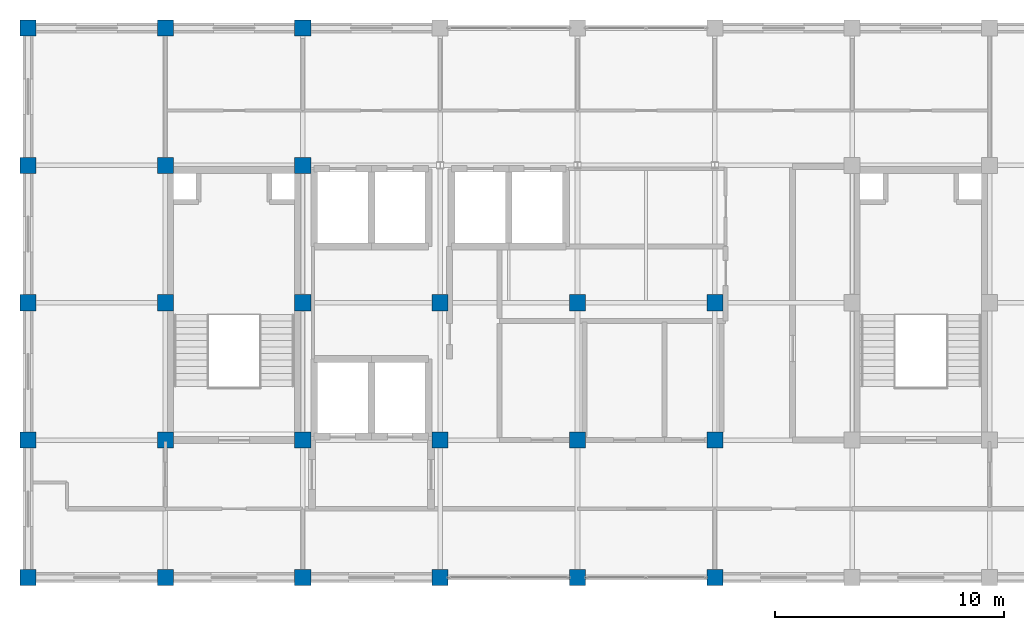
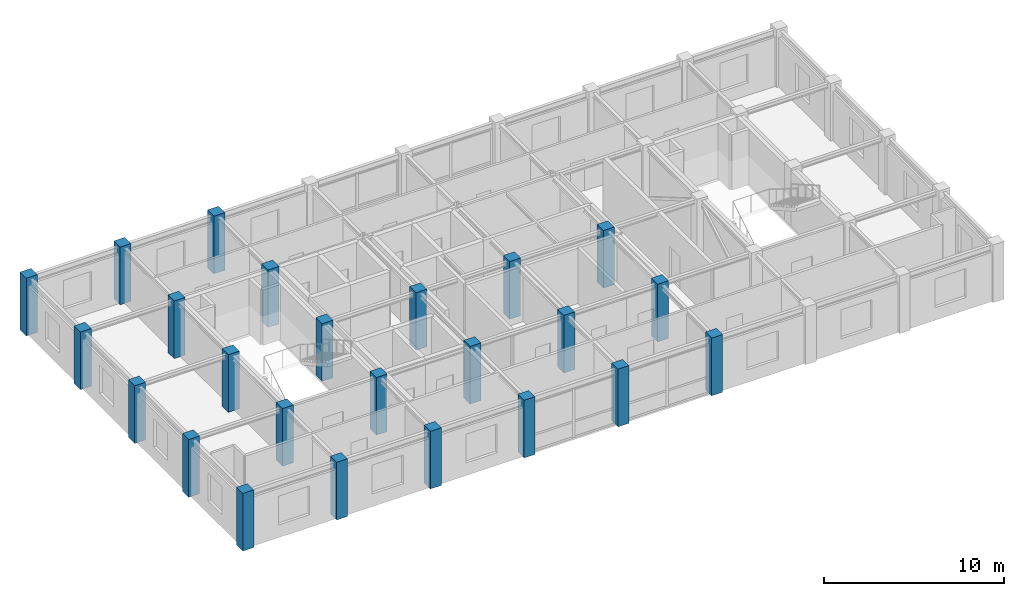
# One storey, part 1 of 11: 24 columns.
"""IFC4 building model written with IfcOpenShell, lengths in metres."""

from ifc_helpers import new_model, si_unit, direction, frame, origin, origin_2d, place, context, subcontext, project, spatial, rectangle, extrude, material, material_profile, profile_set, type_object, element, save


model = new_model("IFC4")

# Units and contexts
model_context = context("Model", 3, precision=1e-05, world=origin(), true_north=direction((0.0, 1.0)))
body_context = subcontext(model_context, "Body", "Model", "MODEL_VIEW")
ifc_project = project(units=[si_unit("LENGTHUNIT", "METRE"), si_unit("AREAUNIT", "SQUARE_METRE"), si_unit("VOLUMEUNIT", "CUBIC_METRE"), si_unit("PLANEANGLEUNIT", "RADIAN"), si_unit("MASSUNIT", "GRAM", prefix="KILO")], contexts=[model_context])

# Site, building, storey
site_placement = place(None, origin())
site = spatial("IfcSite", under=ifc_project, at=site_placement, CompositionType="ELEMENT")
building_placement = place(site_placement, origin())
building = spatial("IfcBuilding", under=site, at=building_placement, Name="Zlatovratsky Civic Hall", CompositionType="ELEMENT")
storey_placement = place(building_placement, frame((0.0, 0.0, 60.0)))
storey = spatial("IfcBuildingStorey", under=building, at=storey_placement, Name="L15", CompositionType="ELEMENT", Elevation=60.0)

# Columns
ifc_material = material(Name="Concrete C35/45 (B40)", Category="concrete")
ifc_material_profile = material_profile(ifc_material, rectangle(XDim=0.699951171875, YDim=0.699951171875, at=origin_2d()), Name="RC 700x700")
ifc_profile_set = profile_set([ifc_material_profile], Name="Concrete C35/45 (B40)")
column_type = type_object("IfcColumnType", Name="Col_CorePier_RC700", PredefinedType="COLUMN", material=ifc_profile_set)
for number, where, z_axis, x_axis, name in (
    (1, (60.0, 78.0, 0.0), (0.0, 0.0, 1.0), (1.0, 0.0, 0.0), "CL-2555"),
    (2, (66.0, 78.0, 0.0), (0.0, 0.0, 1.0), (1.0, 0.0, 0.0), "CL-2556"),
    (3, (72.0, 78.0, 0.0), (0.0, 0.0, 1.0), (1.0, 0.0, 0.0), "CL-2557"),
    (4, (78.0, 78.0, 0.0), (0.0, 0.0, 1.0), (1.0, 0.0, 0.0), "CL-2558"),
    (5, (84.0, 78.0, 0.0), (0.0, 0.0, 1.0), (1.0, 0.0, 0.0), "CL-2559"),
    (6, (90.0, 78.0, 0.0), (0.0, 0.0, 1.0), (1.0, 0.0, 0.0), "CL-2560"),
    (7, (60.0, 84.0, 0.0), (0.0, 0.0, 1.0), (1.0, 0.0, 0.0), "CL-2564"),
    (8, (66.0, 84.0, 0.0), (0.0, 0.0, 1.0), (1.0, 0.0, 0.0), "CL-2565"),
    (9, (72.0, 84.0, 0.0), (0.0, 0.0, 1.0), (1.0, 0.0, 0.0), "CL-2566"),
    (10, (78.0, 84.0, 0.0), (0.0, 0.0, 1.0), (1.0, 0.0, 0.0), "CL-2567"),
    (11, (84.0, 84.0, 0.0), (0.0, 0.0, 1.0), (1.0, 0.0, 0.0), "CL-2568"),
    (12, (90.0, 84.0, 0.0), (0.0, 0.0, 1.0), (1.0, 0.0, 0.0), "CL-2569"),
    (13, (60.0, 90.0, 0.0), (0.0, 0.0, 1.0), (1.0, 0.0, 0.0), "CL-2573"),
    (14, (66.0, 90.0, 0.0), (0.0, 0.0, 1.0), (1.0, 0.0, 0.0), "CL-2574"),
    (15, (72.0, 90.0, 0.0), (0.0, 0.0, 1.0), (1.0, 0.0, 0.0), "CL-2575"),
    (16, (78.0, 90.0, 0.0), (0.0, 0.0, 1.0), (1.0, 0.0, 0.0), "CL-2576"),
    (17, (84.0, 90.0, 0.0), (0.0, 0.0, 1.0), (1.0, 0.0, 0.0), "CL-2577"),
    (18, (90.0, 90.0, 0.0), (0.0, 0.0, 1.0), (1.0, 0.0, 0.0), "CL-2578"),
    (19, (60.0, 96.0, 0.0), (0.0, 0.0, 1.0), (1.0, 0.0, 0.0), "CL-2582"),
    (20, (66.0, 96.0, 0.0), (0.0, 0.0, 1.0), (1.0, 0.0, 0.0), "CL-2583"),
    (21, (72.0, 96.0, 0.0), (0.0, 0.0, 1.0), (1.0, 0.0, 0.0), "CL-2584"),
    (22, (60.0, 102.0, 0.0), (0.0, 0.0, 1.0), (1.0, 0.0, 0.0), "CL-2591"),
    (23, (66.0, 102.0, 0.0), (0.0, 0.0, 1.0), (1.0, 0.0, 0.0), "CL-2592"),
    (24, (72.0, 102.0, 0.0), (0.0, 0.0, 1.0), (1.0, 0.0, 0.0), "CL-2593"),
):
    element("IfcColumn", number, at=place(storey_placement, frame(where, z_axis=z_axis, x_axis=x_axis)), inside=storey, type_object=column_type, Name=name, PredefinedType="COLUMN", context=body_context, shape_type="SweptSolid", body=[
        extrude(rectangle(XDim=0.699951171875, YDim=0.699951171875, at=origin_2d()), origin(), (0.0, 0.0, 1.0), 3.89990234375),
    ])

save(model, "model.ifc")
